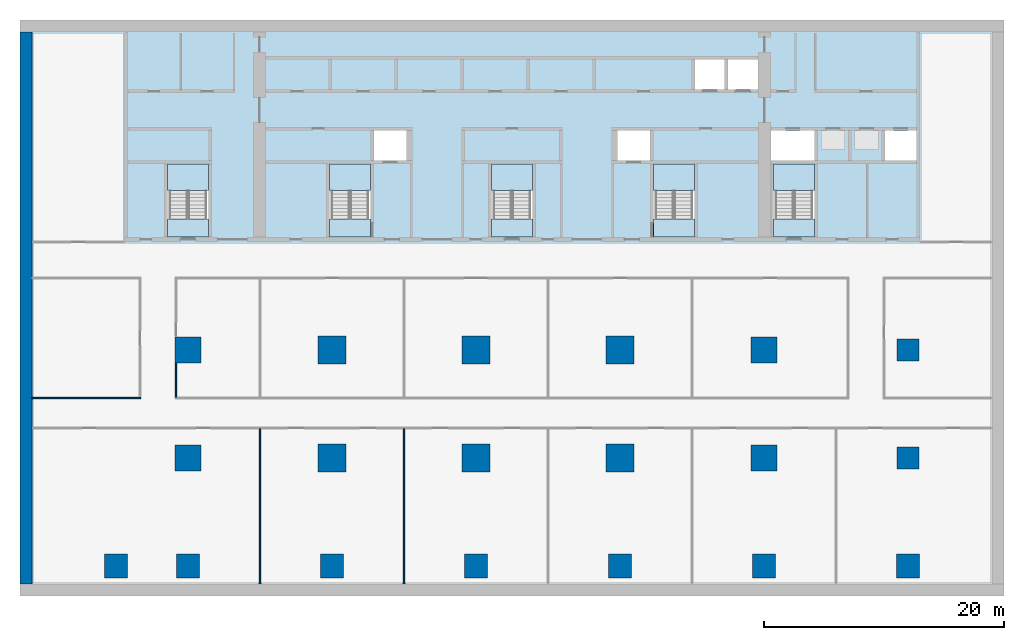
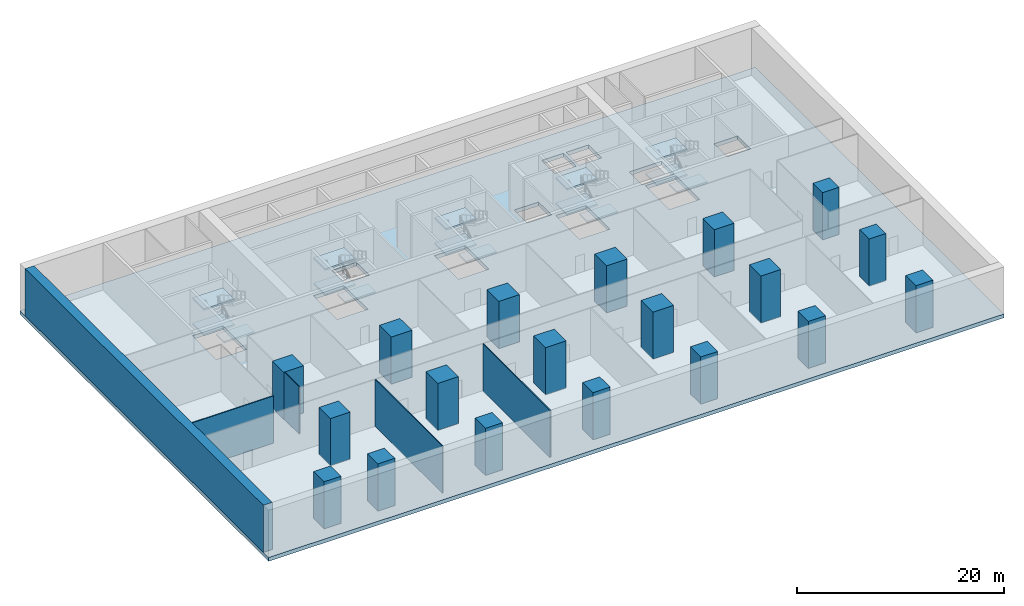
# One storey, part 1 of 10: 19 columns, 16 slabs, 5 walls, 5 elements without a shape of their own.
"""IFC4 building model written with IfcOpenShell, lengths in metres."""

from ifc_helpers import new_model, si_unit, direction, frame, frame_2d, origin, origin_2d, place, context, subcontext, project, spatial, polyline, rectangle, outline, extrude, material, layer, layer_set, material_profile, profile_set, type_object, element, aggregate, save


model = new_model("IFC4")

# Units and contexts
model_context = context("Model", 3, precision=1e-05, world=origin(), true_north=direction((0.0, 1.0)))
body_context = subcontext(model_context, "Body", "Model", "MODEL_VIEW")
ifc_project = project(units=[si_unit("LENGTHUNIT", "METRE"), si_unit("AREAUNIT", "SQUARE_METRE"), si_unit("VOLUMEUNIT", "CUBIC_METRE"), si_unit("PLANEANGLEUNIT", "RADIAN"), si_unit("MASSUNIT", "GRAM", prefix="KILO")], contexts=[model_context])

# Site, building, storey
site_placement = place(None, origin())
site = spatial("IfcSite", under=ifc_project, at=site_placement, CompositionType="ELEMENT")
building_placement = place(site_placement, origin())
building = spatial("IfcBuilding", under=site, at=building_placement, Name="Calvaro Tower", CompositionType="ELEMENT")
storey_placement = place(building_placement, frame((0.0, 0.0, -6.0)))
storey = spatial("IfcBuildingStorey", under=building, at=storey_placement, Name="B1", CompositionType="ELEMENT", Elevation=-6.0)

# Columns
ifc_material_1 = material(Name="Concrete C80/95", Category="concrete")
ifc_material_profile_1 = material_profile(ifc_material_1, rectangle(XDim=1.85009765625, YDim=1.85009765625, at=origin_2d()), Name="RC 1850x1850")
ifc_profile_set_1 = profile_set([ifc_material_profile_1], Name="Concrete C80/95")
column_type_1 = type_object("IfcColumnType", Name="Mega-column 1850x1850 C80/95", PredefinedType="COLUMN", material=ifc_profile_set_1)
for number, where, z_axis, x_axis, name in (
    (1, (72.0, 10.0, 0.0), (0.0, 0.0, 1.0), (1.0, 0.0, 0.0), "Mega-column 13B"),
    (2, (72.0, 19.0, 0.0), (0.0, 0.0, 1.0), (1.0, 0.0, 0.0), "Mega-column 13C"),
):
    element("IfcColumn", number, at=place(storey_placement, frame(where, z_axis=z_axis, x_axis=x_axis)), inside=storey, type_object=column_type_1, Name=name, PredefinedType="COLUMN", context=body_context, shape_type="SweptSolid", body=[
        extrude(rectangle(XDim=1.85009765625, YDim=1.85009765625, at=origin_2d()), origin(), (0.0, 0.0, 1.0), 5.550048828125),
    ])
ifc_material_2 = material(Name="Concrete C80/95", Category="concrete")
ifc_material_profile_2 = material_profile(ifc_material_2, rectangle(XDim=2.199951171875, YDim=2.199951171875, at=origin_2d()), Name="RC 2200x2200")
ifc_profile_set_2 = profile_set([ifc_material_profile_2], Name="Concrete C80/95")
column_type_2 = type_object("IfcColumnType", Name="Mega-column 2200x2200 C80/95", PredefinedType="COLUMN", material=ifc_profile_set_2)
for number, where, z_axis, x_axis, name in (
    (3, (12.0, 10.0, 0.0), (0.0, 0.0, 1.0), (1.0, 0.0, 0.0), "Mega-column 3B"),
    (4, (12.0, 19.0, 0.0), (0.0, 0.0, 1.0), (1.0, 0.0, 0.0), "Mega-column 3C"),
    (5, (60.0, 10.0, 0.0), (0.0, 0.0, 1.0), (1.0, 0.0, 0.0), "Mega-column 11B"),
    (6, (60.0, 19.0, 0.0), (0.0, 0.0, 1.0), (1.0, 0.0, 0.0), "Mega-column 11C"),
):
    element("IfcColumn", number, at=place(storey_placement, frame(where, z_axis=z_axis, x_axis=x_axis)), inside=storey, type_object=column_type_2, Name=name, PredefinedType="COLUMN", context=body_context, shape_type="SweptSolid", body=[
        extrude(rectangle(XDim=2.199951171875, YDim=2.199951171875, at=origin_2d()), origin(), (0.0, 0.0, 1.0), 5.550048828125),
    ])
ifc_material_3 = material(Name="Concrete C80/95", Category="concrete")
ifc_material_profile_3 = material_profile(ifc_material_3, rectangle(XDim=2.300048828125, YDim=2.300048828125, at=origin_2d()), Name="RC 2300x2300")
ifc_profile_set_3 = profile_set([ifc_material_profile_3], Name="Concrete C80/95")
column_type_3 = type_object("IfcColumnType", Name="Mega-column 2300x2300 C80/95", PredefinedType="COLUMN", material=ifc_profile_set_3)
for number, where, z_axis, x_axis, name in (
    (7, (24.0, 10.0, 0.0), (0.0, 0.0, 1.0), (1.0, 0.0, 0.0), "Mega-column 5B"),
    (8, (24.0, 19.0, 0.0), (0.0, 0.0, 1.0), (1.0, 0.0, 0.0), "Mega-column 5C"),
    (9, (36.0, 10.0, 0.0), (0.0, 0.0, 1.0), (1.0, 0.0, 0.0), "Mega-column 7B"),
    (10, (36.0, 19.0, 0.0), (0.0, 0.0, 1.0), (1.0, 0.0, 0.0), "Mega-column 7C"),
    (11, (48.0, 10.0, 0.0), (0.0, 0.0, 1.0), (1.0, 0.0, 0.0), "Mega-column 9B"),
    (12, (48.0, 19.0, 0.0), (0.0, 0.0, 1.0), (1.0, 0.0, 0.0), "Mega-column 9C"),
):
    element("IfcColumn", number, at=place(storey_placement, frame(where, z_axis=z_axis, x_axis=x_axis)), inside=storey, type_object=column_type_3, Name=name, PredefinedType="COLUMN", context=body_context, shape_type="SweptSolid", body=[
        extrude(rectangle(XDim=2.300048828125, YDim=2.300048828125, at=origin_2d()), origin(), (0.0, 0.0, 1.0), 5.550048828125),
    ])
ifc_material_4 = material(Name="Concrete C80/95", Category="concrete")
ifc_material_profile_4 = material_profile(ifc_material_4, rectangle(XDim=1.89990234375, YDim=2.0, at=origin_2d()), Name="RC 1900x2000")
ifc_profile_set_4 = profile_set([ifc_material_profile_4], Name="Concrete C80/95")
column_type_4 = type_object("IfcColumnType", Name="Pier 1900x2000 C80/95", PredefinedType="COLUMN", material=ifc_profile_set_4)
for number, where, z_axis, x_axis, name in (
    (13, (6.0, 1.0, 0.0), (0.0, 0.0, 1.0), (1.0, 0.0, 0.0), "South pier 2"),
    (14, (12.0, 1.0, 0.0), (0.0, 0.0, 1.0), (1.0, 0.0, 0.0), "South pier 3"),
    (15, (24.0, 1.0, 0.0), (0.0, 0.0, 1.0), (1.0, 0.0, 0.0), "South pier 5"),
    (16, (36.0, 1.0, 0.0), (0.0, 0.0, 1.0), (1.0, 0.0, 0.0), "South pier 7"),
    (17, (48.0, 1.0, 0.0), (0.0, 0.0, 1.0), (1.0, 0.0, 0.0), "South pier 9"),
    (18, (60.0, 1.0, 0.0), (0.0, 0.0, 1.0), (1.0, 0.0, 0.0), "South pier 11"),
    (19, (72.0, 1.0, 0.0), (0.0, 0.0, 1.0), (1.0, 0.0, 0.0), "South pier 13"),
):
    element("IfcColumn", number, at=place(storey_placement, frame(where, z_axis=z_axis, x_axis=x_axis)), inside=storey, type_object=column_type_4, Name=name, PredefinedType="COLUMN", context=body_context, shape_type="SweptSolid", body=[
        extrude(rectangle(XDim=1.89990234375, YDim=2.0, at=origin_2d()), origin(), (0.0, 0.0, 1.0), 5.550048828125),
    ])

# Slab
ifc_material_5 = material(Name="Concrete C40/50", Category="concrete")
ifc_layer_1 = layer(ifc_material_5, 0.449951171875)
ifc_layer_set_1 = layer_set([ifc_layer_1], Name="Concrete C40/50")
slab_type_1 = type_object("IfcSlabType", Name="Floor slab 450 C40/50", PredefinedType="FLOOR", material=ifc_layer_set_1)
slab_1_placement = place(storey_placement, frame((0.0, 0.0, -0.449951171875)))
element("IfcSlab", 20, at=slab_1_placement, inside=storey, type_object=slab_type_1, Name="Floor slab", PredefinedType="FLOOR", context=body_context, shape_type="SweptSolid", body=[
    extrude(outline(polyline([(80.0, -1.5), (80.0, 46.5), (-2.0, 46.5), (-2.0, -1.5), (80.0, -1.5)]), holes=[polyline([(10.300048828125, 29.909912109375), (10.300048828125, 34.5), (12.0, 34.5), (13.699951171875, 34.5), (13.699951171875, 29.909912109375), (12.0, 29.909912109375), (10.300048828125, 29.909912109375)]), polyline([(23.800048828125, 29.909912109375), (23.800048828125, 34.5), (25.5, 34.5), (27.199951171875, 34.5), (27.199951171875, 29.909912109375), (25.5, 29.909912109375), (23.800048828125, 29.909912109375)]), polyline([(37.300048828125, 29.909912109375), (37.300048828125, 34.5), (39.0, 34.5), (40.699951171875, 34.5), (40.699951171875, 29.909912109375), (39.0, 29.909912109375), (37.300048828125, 29.909912109375)]), polyline([(50.800048828125, 29.909912109375), (50.800048828125, 34.5), (52.5, 34.5), (54.199951171875, 34.5), (54.199951171875, 29.909912109375), (52.5, 29.909912109375), (50.800048828125, 29.909912109375)]), polyline([(60.800048828125, 29.909912109375), (60.800048828125, 34.5), (62.5, 34.5), (64.199951171875, 34.5), (64.199951171875, 29.909912109375), (62.5, 29.909912109375), (60.800048828125, 29.909912109375)]), polyline([(54.25, 40.699951171875), (56.699951171875, 40.699951171875), (56.699951171875, 43.199951171875), (54.25, 43.199951171875), (54.25, 40.699951171875)]), polyline([(57.0, 40.699951171875), (59.5, 40.699951171875), (59.5, 43.199951171875), (57.0, 43.199951171875), (57.0, 40.699951171875)]), polyline([(60.60009765625, 34.800048828125), (64.199951171875, 34.800048828125), (64.199951171875, 37.300048828125), (60.60009765625, 37.300048828125), (60.60009765625, 34.800048828125)]), polyline([(70.10009765625, 34.800048828125), (72.699951171875, 34.800048828125), (72.699951171875, 37.300048828125), (70.10009765625, 37.300048828125), (70.10009765625, 34.800048828125)]), polyline([(27.5, 34.800048828125), (30.199951171875, 34.800048828125), (30.199951171875, 37.300048828125), (27.5, 37.300048828125), (27.5, 34.800048828125)]), polyline([(47.800048828125, 34.800048828125), (50.5, 34.800048828125), (50.5, 37.300048828125), (47.800048828125, 37.300048828125), (47.800048828125, 34.800048828125)])]), origin(), (0.0, 0.0, 1.0), 0.449951171875),
])

# Stair, slabs
ifc_material_6 = material(Name="Concrete C40/50", Category="concrete")
stair_type = type_object("IfcStairType", Name="Exit stair 1400 4 flights", PredefinedType="DOUBLE_RETURN_STAIR", material=ifc_material_6)
stair_1_placement = place(storey_placement, origin())
stair_1 = element("IfcStair", 21, at=stair_1_placement, inside=storey, type_object=stair_type, Name="Exit stair S1", PredefinedType="DOUBLE_RETURN_STAIR")
ifc_material_7 = material(Name="Concrete C40/50", Category="concrete")
ifc_layer_2 = layer(ifc_material_7, 0.199951171875)
ifc_layer_set_2 = layer_set([ifc_layer_2], Name="Concrete C40/50")
slab_type_2 = type_object("IfcSlabType", Name="Stair landing", PredefinedType="LANDING", material=ifc_layer_set_2)
slab_2_placement = place(storey_placement, frame((0.0, 0.0, 1.300048828125)))
slab_2 = element("IfcSlab", 22, at=slab_2_placement, type_object=slab_type_2, Name="Exit stair 1, landing 1", PredefinedType="LANDING", context=body_context, shape_type="SweptSolid", body=[
    extrude(outline(polyline([(11.89990234375, 32.2900390625), (10.5, 32.2900390625), (10.5, 32.300048828125), (10.300048828125, 32.300048828125), (10.300048828125, 34.5), (10.5, 34.5), (11.89990234375, 34.5), (12.10009765625, 34.5), (13.5, 34.5), (13.699951171875, 34.5), (13.699951171875, 32.300048828125), (13.5, 32.300048828125), (13.5, 32.2900390625), (12.10009765625, 32.2900390625), (12.10009765625, 32.300048828125), (11.89990234375, 32.300048828125), (11.89990234375, 32.2900390625)])), origin(), (0.0, 0.0, 1.0), 0.199951171875),
])
slab_3_placement = place(storey_placement, frame((0.0, 0.0, 2.800048828125)))
slab_3 = element("IfcSlab", 23, at=slab_3_placement, type_object=slab_type_2, Name="Exit stair 1, landing 2", PredefinedType="LANDING", context=body_context, shape_type="SweptSolid", body=[
    extrude(outline(polyline([(13.699951171875, 29.909912109375), (13.699951171875, 28.39990234375), (10.300048828125, 28.39990234375), (10.300048828125, 29.909912109375), (10.5, 29.909912109375), (11.89990234375, 29.909912109375), (13.699951171875, 29.909912109375)])), origin(), (0.0, 0.0, 1.0), 0.199951171875),
])
slab_4_placement = place(storey_placement, frame((0.0, 0.0, 4.300048828125)))
slab_4 = element("IfcSlab", 24, at=slab_4_placement, type_object=slab_type_2, Name="Exit stair 1, landing 3", PredefinedType="LANDING", context=body_context, shape_type="SweptSolid", body=[
    extrude(outline(polyline([(11.89990234375, 32.2900390625), (10.5, 32.2900390625), (10.5, 32.300048828125), (10.300048828125, 32.300048828125), (10.300048828125, 34.5), (10.5, 34.5), (11.89990234375, 34.5), (12.10009765625, 34.5), (13.5, 34.5), (13.699951171875, 34.5), (13.699951171875, 32.300048828125), (13.5, 32.300048828125), (13.5, 32.2900390625), (12.10009765625, 32.2900390625), (12.10009765625, 32.300048828125), (11.89990234375, 32.300048828125), (11.89990234375, 32.2900390625)])), origin(), (0.0, 0.0, 1.0), 0.199951171875),
])
aggregate(stair_1, [slab_2, slab_3, slab_4])

stair_2_placement = place(storey_placement, origin())
stair_2 = element("IfcStair", 25, at=stair_2_placement, inside=storey, type_object=stair_type, Name="Exit stair S2", PredefinedType="DOUBLE_RETURN_STAIR")
slab_5_placement = place(storey_placement, frame((0.0, 0.0, 1.300048828125)))
slab_5 = element("IfcSlab", 26, at=slab_5_placement, type_object=slab_type_2, Name="Exit stair 2, landing 1", PredefinedType="LANDING", context=body_context, shape_type="SweptSolid", body=[
    extrude(outline(polyline([(25.39990234375, 32.2900390625), (24.0, 32.2900390625), (24.0, 32.300048828125), (23.800048828125, 32.300048828125), (23.800048828125, 34.5), (24.0, 34.5), (25.39990234375, 34.5), (25.60009765625, 34.5), (27.0, 34.5), (27.199951171875, 34.5), (27.199951171875, 32.300048828125), (27.0, 32.300048828125), (27.0, 32.2900390625), (25.60009765625, 32.2900390625), (25.60009765625, 32.300048828125), (25.39990234375, 32.300048828125), (25.39990234375, 32.2900390625)])), origin(), (0.0, 0.0, 1.0), 0.199951171875),
])
slab_6_placement = place(storey_placement, frame((0.0, 0.0, 2.800048828125)))
slab_6 = element("IfcSlab", 27, at=slab_6_placement, type_object=slab_type_2, Name="Exit stair 2, landing 2", PredefinedType="LANDING", context=body_context, shape_type="SweptSolid", body=[
    extrude(outline(polyline([(27.199951171875, 29.909912109375), (27.199951171875, 28.39990234375), (23.800048828125, 28.39990234375), (23.800048828125, 29.909912109375), (24.0, 29.909912109375), (25.39990234375, 29.909912109375), (27.199951171875, 29.909912109375)])), origin(), (0.0, 0.0, 1.0), 0.199951171875),
])
slab_7_placement = place(storey_placement, frame((0.0, 0.0, 4.300048828125)))
slab_7 = element("IfcSlab", 28, at=slab_7_placement, type_object=slab_type_2, Name="Exit stair 2, landing 3", PredefinedType="LANDING", context=body_context, shape_type="SweptSolid", body=[
    extrude(outline(polyline([(25.39990234375, 32.2900390625), (24.0, 32.2900390625), (24.0, 32.300048828125), (23.800048828125, 32.300048828125), (23.800048828125, 34.5), (24.0, 34.5), (25.39990234375, 34.5), (25.60009765625, 34.5), (27.0, 34.5), (27.199951171875, 34.5), (27.199951171875, 32.300048828125), (27.0, 32.300048828125), (27.0, 32.2900390625), (25.60009765625, 32.2900390625), (25.60009765625, 32.300048828125), (25.39990234375, 32.300048828125), (25.39990234375, 32.2900390625)])), origin(), (0.0, 0.0, 1.0), 0.199951171875),
])
aggregate(stair_2, [slab_5, slab_6, slab_7])

stair_3_placement = place(storey_placement, origin())
stair_3 = element("IfcStair", 29, at=stair_3_placement, inside=storey, type_object=stair_type, Name="Exit stair S3", PredefinedType="DOUBLE_RETURN_STAIR")
slab_8_placement = place(storey_placement, frame((0.0, 0.0, 1.300048828125)))
slab_8 = element("IfcSlab", 30, at=slab_8_placement, type_object=slab_type_2, Name="Exit stair 3, landing 1", PredefinedType="LANDING", context=body_context, shape_type="SweptSolid", body=[
    extrude(outline(polyline([(38.89990234375, 32.2900390625), (37.5, 32.2900390625), (37.5, 32.300048828125), (37.300048828125, 32.300048828125), (37.300048828125, 34.5), (37.5, 34.5), (38.89990234375, 34.5), (39.10009765625, 34.5), (40.5, 34.5), (40.699951171875, 34.5), (40.699951171875, 32.300048828125), (40.5, 32.300048828125), (40.5, 32.2900390625), (39.10009765625, 32.2900390625), (39.10009765625, 32.300048828125), (38.89990234375, 32.300048828125), (38.89990234375, 32.2900390625)])), origin(), (0.0, 0.0, 1.0), 0.199951171875),
])
slab_9_placement = place(storey_placement, frame((0.0, 0.0, 2.800048828125)))
slab_9 = element("IfcSlab", 31, at=slab_9_placement, type_object=slab_type_2, Name="Exit stair 3, landing 2", PredefinedType="LANDING", context=body_context, shape_type="SweptSolid", body=[
    extrude(outline(polyline([(40.699951171875, 29.909912109375), (40.699951171875, 28.39990234375), (37.300048828125, 28.39990234375), (37.300048828125, 29.909912109375), (37.5, 29.909912109375), (38.89990234375, 29.909912109375), (40.699951171875, 29.909912109375)])), origin(), (0.0, 0.0, 1.0), 0.199951171875),
])
slab_10_placement = place(storey_placement, frame((0.0, 0.0, 4.300048828125)))
slab_10 = element("IfcSlab", 32, at=slab_10_placement, type_object=slab_type_2, Name="Exit stair 3, landing 3", PredefinedType="LANDING", context=body_context, shape_type="SweptSolid", body=[
    extrude(outline(polyline([(38.89990234375, 32.2900390625), (37.5, 32.2900390625), (37.5, 32.300048828125), (37.300048828125, 32.300048828125), (37.300048828125, 34.5), (37.5, 34.5), (38.89990234375, 34.5), (39.10009765625, 34.5), (40.5, 34.5), (40.699951171875, 34.5), (40.699951171875, 32.300048828125), (40.5, 32.300048828125), (40.5, 32.2900390625), (39.10009765625, 32.2900390625), (39.10009765625, 32.300048828125), (38.89990234375, 32.300048828125), (38.89990234375, 32.2900390625)])), origin(), (0.0, 0.0, 1.0), 0.199951171875),
])
aggregate(stair_3, [slab_8, slab_9, slab_10])

stair_4_placement = place(storey_placement, origin())
stair_4 = element("IfcStair", 33, at=stair_4_placement, inside=storey, type_object=stair_type, Name="Exit stair S4", PredefinedType="DOUBLE_RETURN_STAIR")
slab_11_placement = place(storey_placement, frame((0.0, 0.0, 1.300048828125)))
slab_11 = element("IfcSlab", 34, at=slab_11_placement, type_object=slab_type_2, Name="Exit stair 4, landing 1", PredefinedType="LANDING", context=body_context, shape_type="SweptSolid", body=[
    extrude(outline(polyline([(52.39990234375, 32.2900390625), (51.0, 32.2900390625), (51.0, 32.300048828125), (50.800048828125, 32.300048828125), (50.800048828125, 34.5), (51.0, 34.5), (52.39990234375, 34.5), (52.60009765625, 34.5), (54.0, 34.5), (54.199951171875, 34.5), (54.199951171875, 32.300048828125), (54.0, 32.300048828125), (54.0, 32.2900390625), (52.60009765625, 32.2900390625), (52.60009765625, 32.300048828125), (52.39990234375, 32.300048828125), (52.39990234375, 32.2900390625)])), origin(), (0.0, 0.0, 1.0), 0.199951171875),
])
slab_12_placement = place(storey_placement, frame((0.0, 0.0, 2.800048828125)))
slab_12 = element("IfcSlab", 35, at=slab_12_placement, type_object=slab_type_2, Name="Exit stair 4, landing 2", PredefinedType="LANDING", context=body_context, shape_type="SweptSolid", body=[
    extrude(outline(polyline([(54.199951171875, 29.909912109375), (54.199951171875, 28.39990234375), (50.800048828125, 28.39990234375), (50.800048828125, 29.909912109375), (51.0, 29.909912109375), (52.39990234375, 29.909912109375), (54.199951171875, 29.909912109375)])), origin(), (0.0, 0.0, 1.0), 0.199951171875),
])
slab_13_placement = place(storey_placement, frame((0.0, 0.0, 4.300048828125)))
slab_13 = element("IfcSlab", 36, at=slab_13_placement, type_object=slab_type_2, Name="Exit stair 4, landing 3", PredefinedType="LANDING", context=body_context, shape_type="SweptSolid", body=[
    extrude(outline(polyline([(52.39990234375, 32.2900390625), (51.0, 32.2900390625), (51.0, 32.300048828125), (50.800048828125, 32.300048828125), (50.800048828125, 34.5), (51.0, 34.5), (52.39990234375, 34.5), (52.60009765625, 34.5), (54.0, 34.5), (54.199951171875, 34.5), (54.199951171875, 32.300048828125), (54.0, 32.300048828125), (54.0, 32.2900390625), (52.60009765625, 32.2900390625), (52.60009765625, 32.300048828125), (52.39990234375, 32.300048828125), (52.39990234375, 32.2900390625)])), origin(), (0.0, 0.0, 1.0), 0.199951171875),
])
aggregate(stair_4, [slab_11, slab_12, slab_13])

stair_5_placement = place(storey_placement, origin())
stair_5 = element("IfcStair", 37, at=stair_5_placement, inside=storey, type_object=stair_type, Name="Exit stair S5", PredefinedType="DOUBLE_RETURN_STAIR")
slab_14_placement = place(storey_placement, frame((0.0, 0.0, 1.300048828125)))
slab_14 = element("IfcSlab", 38, at=slab_14_placement, type_object=slab_type_2, Name="Exit stair 5, landing 1", PredefinedType="LANDING", context=body_context, shape_type="SweptSolid", body=[
    extrude(outline(polyline([(62.39990234375, 32.2900390625), (61.0, 32.2900390625), (61.0, 32.300048828125), (60.800048828125, 32.300048828125), (60.800048828125, 34.5), (61.0, 34.5), (62.39990234375, 34.5), (62.60009765625, 34.5), (64.0, 34.5), (64.199951171875, 34.5), (64.199951171875, 32.300048828125), (64.0, 32.300048828125), (64.0, 32.2900390625), (62.60009765625, 32.2900390625), (62.60009765625, 32.300048828125), (62.39990234375, 32.300048828125), (62.39990234375, 32.2900390625)])), origin(), (0.0, 0.0, 1.0), 0.199951171875),
])
slab_15_placement = place(storey_placement, frame((0.0, 0.0, 2.800048828125)))
slab_15 = element("IfcSlab", 39, at=slab_15_placement, type_object=slab_type_2, Name="Exit stair 5, landing 2", PredefinedType="LANDING", context=body_context, shape_type="SweptSolid", body=[
    extrude(outline(polyline([(64.199951171875, 29.909912109375), (64.199951171875, 28.39990234375), (60.800048828125, 28.39990234375), (60.800048828125, 29.909912109375), (61.0, 29.909912109375), (62.39990234375, 29.909912109375), (64.199951171875, 29.909912109375)])), origin(), (0.0, 0.0, 1.0), 0.199951171875),
])
slab_16_placement = place(storey_placement, frame((0.0, 0.0, 4.300048828125)))
slab_16 = element("IfcSlab", 40, at=slab_16_placement, type_object=slab_type_2, Name="Exit stair 5, landing 3", PredefinedType="LANDING", context=body_context, shape_type="SweptSolid", body=[
    extrude(outline(polyline([(62.39990234375, 32.2900390625), (61.0, 32.2900390625), (61.0, 32.300048828125), (60.800048828125, 32.300048828125), (60.800048828125, 34.5), (61.0, 34.5), (62.39990234375, 34.5), (62.60009765625, 34.5), (64.0, 34.5), (64.199951171875, 34.5), (64.199951171875, 32.300048828125), (64.0, 32.300048828125), (64.0, 32.2900390625), (62.60009765625, 32.2900390625), (62.60009765625, 32.300048828125), (62.39990234375, 32.300048828125), (62.39990234375, 32.2900390625)])), origin(), (0.0, 0.0, 1.0), 0.199951171875),
])
aggregate(stair_5, [slab_14, slab_15, slab_16])

# Walls
ifc_material_8 = material(Name="Plasterboard on steel studs", Category="steel")
ifc_layer_3 = layer(ifc_material_8, 0.10009765625)
ifc_layer_set_3 = layer_set([ifc_layer_3], Name="Plasterboard on steel studs")
wall_type_1 = type_object("IfcWallType", Name="Partition 100", PredefinedType="PARTITIONING", material=ifc_layer_set_3)
wall_1_placement = place(storey_placement, frame((30.0, -0.5, 0.0), z_axis=(0.0, 0.0, 1.0), x_axis=(0.0, 1.0, 0.0)))
element("IfcWall", 41, at=wall_1_placement, inside=storey, type_object=wall_type_1, Name="Partition T02.W015", PredefinedType="PARTITIONING", context=body_context, shape_type="SweptSolid", body=[
    extrude(rectangle(XDim=12.949951171875, YDim=0.10009765625, at=frame_2d((6.47509765625, 0.0))), origin(), (0.0, 0.0, 1.0), 5.550048828125),
])
ifc_material_9 = material(Name="Plasterboard on steel studs", Category="steel")
ifc_layer_4 = layer(ifc_material_9, 0.10009765625)
ifc_layer_set_4 = layer_set([ifc_layer_4], Name="Plasterboard on steel studs")
wall_type_2 = type_object("IfcWallType", Name="Partition 100 EI 60", PredefinedType="PARTITIONING", material=ifc_layer_set_4)
wall_2_placement = place(storey_placement, frame((-1.0, 15.0, 0.0), z_axis=(0.0, 0.0, 1.0), x_axis=(1.0, 0.0, 0.0)))
element("IfcWall", 42, at=wall_2_placement, inside=storey, type_object=wall_type_2, Name="Partition T02.W002", PredefinedType="PARTITIONING", context=body_context, shape_type="SweptSolid", body=[
    extrude(rectangle(XDim=9.050048828125, YDim=0.10009765625, at=frame_2d((4.52490234375, 0.0))), origin(), (0.0, 0.0, 1.0), 5.550048828125),
])
wall_3_placement = place(storey_placement, frame((11.0, 15.050048828125, 0.0), z_axis=(0.0, 0.0, 1.0), x_axis=(0.0, 1.0, 0.0)))
element("IfcWall", 43, at=wall_3_placement, inside=storey, type_object=wall_type_2, Name="Partition T02.W011", PredefinedType="PARTITIONING", context=body_context, shape_type="SweptSolid", body=[
    extrude(rectangle(XDim=2.849853515625, YDim=0.10009765625, at=frame_2d((1.4248046875, 0.0))), origin(), (0.0, 0.0, 1.0), 5.550048828125),
])
wall_4_placement = place(storey_placement, frame((18.0, -0.5, 0.0), z_axis=(0.0, 0.0, 1.0), x_axis=(0.0, 1.0, 0.0)))
element("IfcWall", 44, at=wall_4_placement, inside=storey, type_object=wall_type_2, Name="Partition T02.W013", PredefinedType="PARTITIONING", context=body_context, shape_type="SweptSolid", body=[
    extrude(rectangle(XDim=12.949951171875, YDim=0.10009765625, at=frame_2d((6.47509765625, 0.0))), origin(), (0.0, 0.0, 1.0), 5.550048828125),
])
ifc_material_10 = material(Name="Concrete C32/40", Category="concrete")
ifc_layer_5 = layer(ifc_material_10, 1.0)
ifc_layer_set_5 = layer_set([ifc_layer_5], Name="Concrete C32/40")
wall_type_3 = type_object("IfcWallType", Name="Retaining wall 1000 C32/40", PredefinedType="SOLIDWALL", material=ifc_layer_set_5)
wall_5_placement = place(storey_placement, frame((-1.5, -0.5, 0.0), z_axis=(0.0, 0.0, 1.0), x_axis=(0.0, 1.0, 0.0)))
element("IfcWall", 45, at=wall_5_placement, inside=storey, type_object=wall_type_3, Name="Basement wall", PredefinedType="SOLIDWALL", context=body_context, shape_type="SweptSolid", body=[
    extrude(rectangle(XDim=46.0, YDim=1.0, at=frame_2d((23.0, 0.0))), origin(), (0.0, 0.0, 1.0), 5.550048828125),
])

save(model, "model.ifc")
